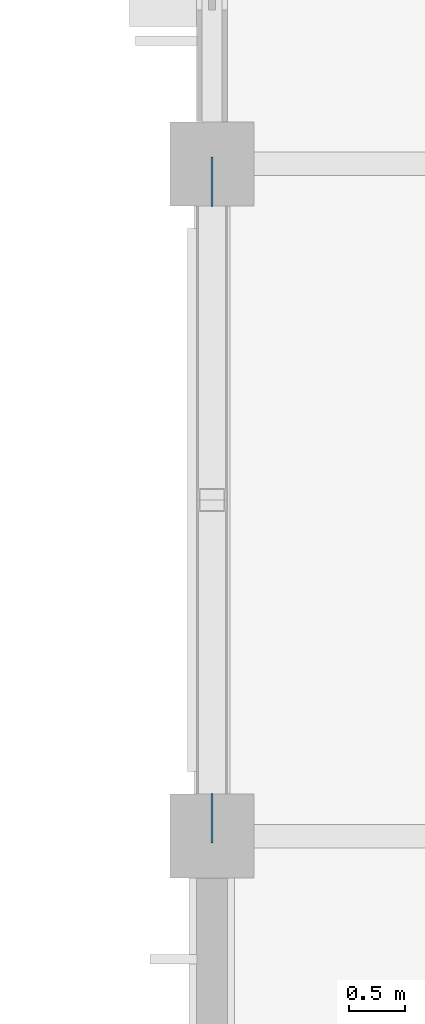
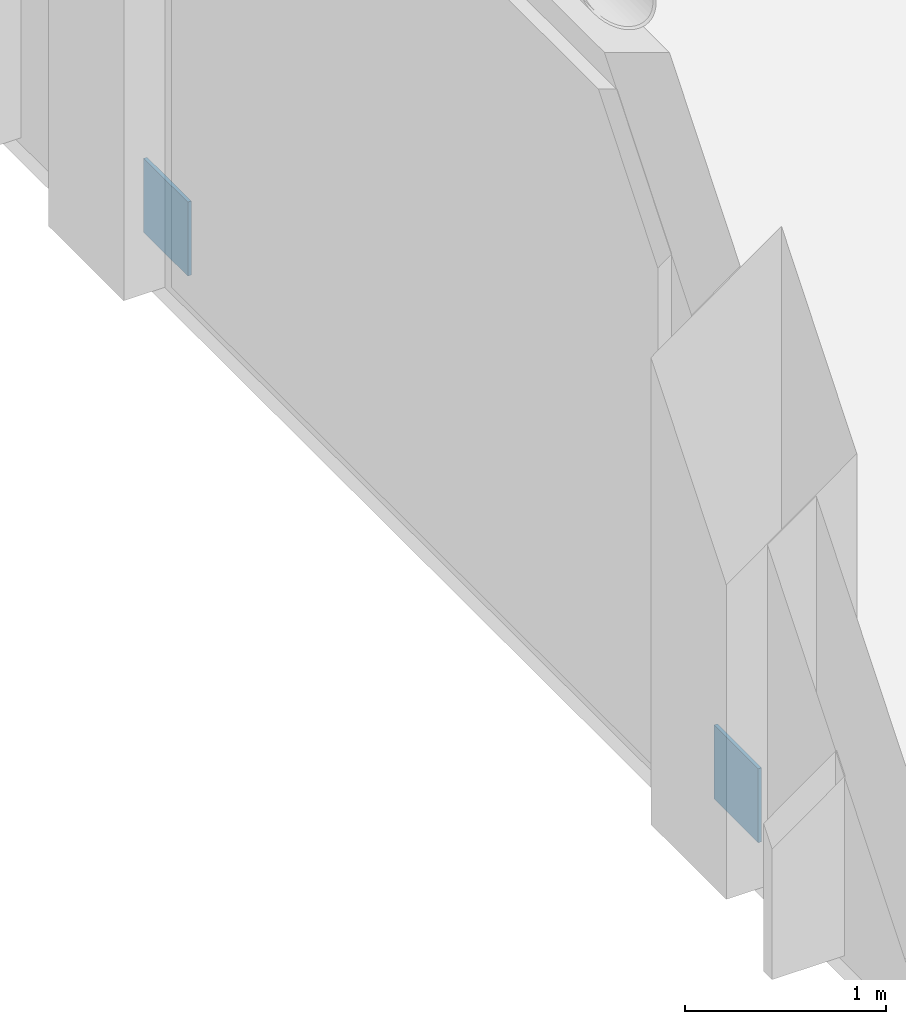
# One storey, part 57 of 76: 2 discrete accessories.
"""IFC4 building model written with IfcOpenShell, lengths in metres."""

from ifc_helpers import new_model, si_unit, direction, frame, origin, origin_2d, place, context, subcontext, project, spatial, rectangle, extrude, material, layer, layer_set, type_object, element, save


model = new_model("IFC4")

# Units and contexts
model_context = context("Model", 3, precision=1e-05, world=origin(), true_north=direction((0.0, 1.0)))
body_context = subcontext(model_context, "Body", "Model", "MODEL_VIEW")
ifc_project = project(units=[si_unit("LENGTHUNIT", "METRE"), si_unit("AREAUNIT", "SQUARE_METRE"), si_unit("VOLUMEUNIT", "CUBIC_METRE"), si_unit("PLANEANGLEUNIT", "RADIAN"), si_unit("MASSUNIT", "GRAM", prefix="KILO")], contexts=[model_context])

# Site, building, storey
site_placement = place(None, origin())
site = spatial("IfcSite", under=ifc_project, at=site_placement, CompositionType="ELEMENT")
building_placement = place(site_placement, origin())
building = spatial("IfcBuilding", under=site, at=building_placement, Name="Varnakota Square Police Headquarters", CompositionType="ELEMENT")
storey_placement = place(building_placement, origin())
storey = spatial("IfcBuildingStorey", under=building, at=storey_placement, Name="L00", CompositionType="ELEMENT", Elevation=0.0)

# Discrete accessories
ifc_material = material(Name="Steel IS 2062 Grade 350", Category="steel")
ifc_layer = layer(ifc_material, 0.64990234375, Name="Steel IS 2062 Grade 350")
ifc_layer_set = layer_set([ifc_layer], Name="Steel IS 2062 Grade 350")
discrete_accessory_type = type_object("IfcDiscreteAccessoryType", Name="ACC-EMB-350", PredefinedType="BRACKET", material=ifc_layer_set)
for number, where, z_axis, x_axis, name in (
    (1, (6.0, 51.159912109375, 0.02490234375), (0.0, 0.0, 1.0), (0.0, 1.0, 0.0), "Brace gusset connection plate BF4 L00 L"),
    (2, (6.0, 56.840087890625, 0.02490234375), (0.0, 0.0, 1.0), (0.0, 1.0, 0.0), "Brace gusset connection plate BF4 L00 R"),
):
    element("IfcDiscreteAccessory", number, at=place(storey_placement, frame(where, z_axis=z_axis, x_axis=x_axis)), inside=storey, type_object=discrete_accessory_type, Name=name, PredefinedType="BRACKET", context=body_context, shape_type="SweptSolid", body=[
        extrude(rectangle(XDim=0.43994140625, YDim=0.02001953125, at=origin_2d()), origin(), (0.0, 0.0, 1.0), 0.449951171875),
    ])

save(model, "model.ifc")
